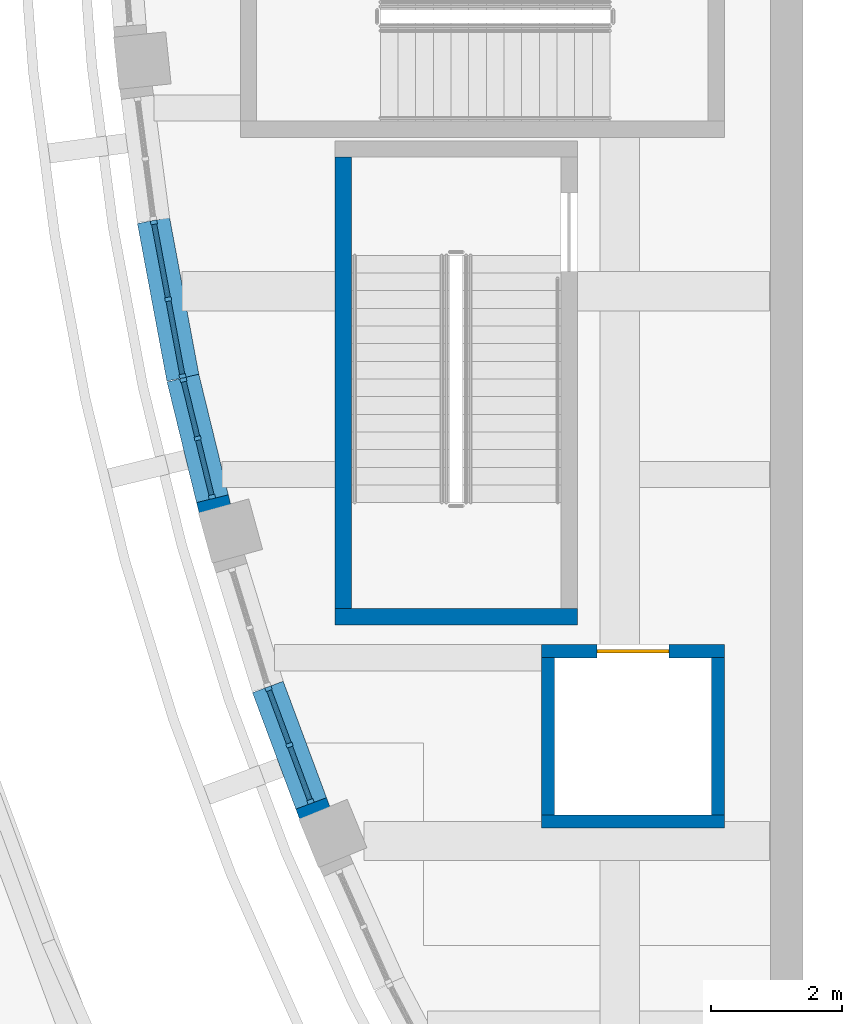
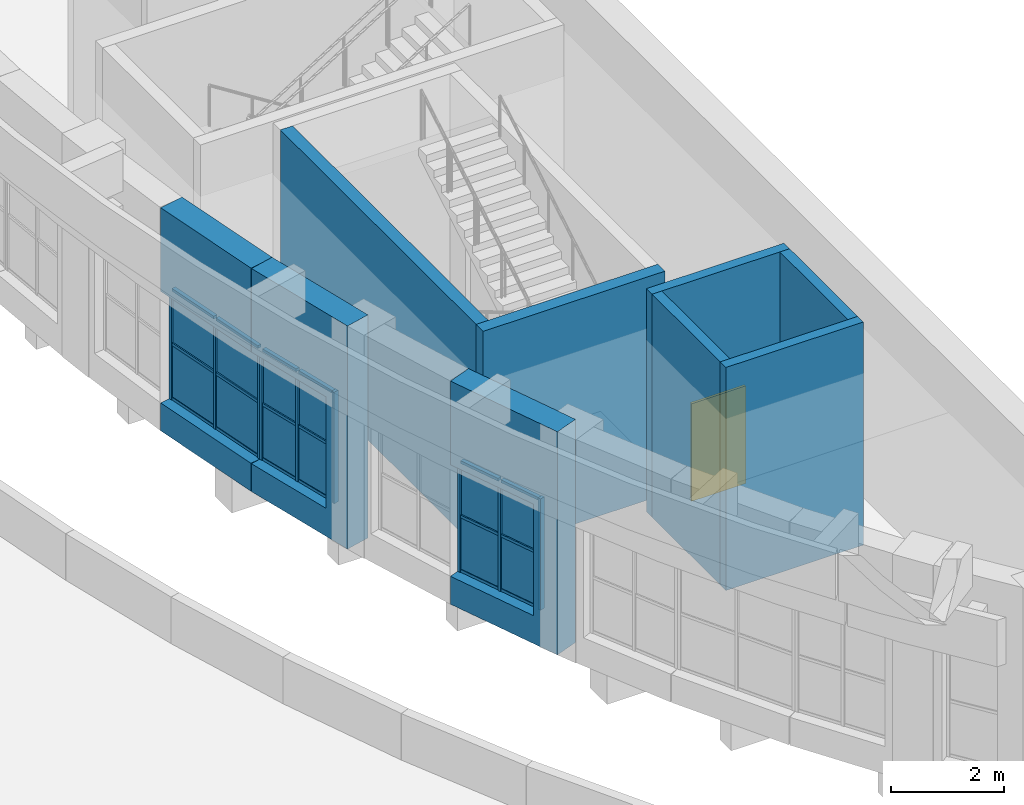
# One storey, part 19 of 79: 27 members, 12 plates, 9 walls, 1 door, 4 openings, 3 elements without a shape of their own.
"""IFC4 building model written with IfcOpenShell, lengths in metres."""

import ifcopenshell
import ifcopenshell.guid

model = None  # the IFC model being written
_history = None  # IfcOwnerHistory: only IFC2X3 demands one
_inside = {}  # id of a spatial element -> (the spatial element, [elements in it])
_under = {}  # id of a project, library or spatial element -> (it, [spatial elements below it])
_declared = {}  # id of a project -> (the project, [libraries it declares])
_typed = {}  # id of a type object -> (the type object, [elements of that type])
_made_of = {}  # id of a material, layer set ... -> (it, [elements and type objects made of it])


def new_model(schema):
    """Start an empty IFC model of exactly this schema.

    Asked for "IFC4X3", IfcOpenShell would pick the latest addendum, in which some entities
    have other attributes; the version numbers below select the first issue.
    IFC2X3 requires an IfcOwnerHistory on every rooted entity: one is made here for all.
    """
    global model, _history
    if schema == "IFC4X3":
        model = ifcopenshell.file(schema_version=(4, 3, 0, 0))
    else:
        model = ifcopenshell.file(schema=schema)
    _inside.clear()
    _under.clear()
    _declared.clear()
    _typed.clear()
    _made_of.clear()
    _history = None
    if model.schema == "IFC2X3":
        org = make("IfcOrganization", Name="unknown")
        user = make(
            "IfcPersonAndOrganization",
            ThePerson=make("IfcPerson", FamilyName="unknown"),
            TheOrganization=org,
        )
        app = make(
            "IfcApplication",
            ApplicationDeveloper=org,
            Version="unknown",
            ApplicationFullName="unknown",
            ApplicationIdentifier="unknown",
        )
        _history = make(
            "IfcOwnerHistory",
            OwningUser=user,
            OwningApplication=app,
            ChangeAction="ADDED",
            CreationDate=0,
        )
    return model


def make(cls, **values):
    """One entity of the class cls with the attributes given. An attribute that is None is left unset."""
    return model.create_entity(
        cls, **{name: value for name, value in values.items() if value is not None}
    )


def rooted(cls, **values):
    """An entity with a GlobalId (a new one), such as an element, a storey or a relation."""
    return make(cls, GlobalId=ifcopenshell.guid.new(), OwnerHistory=_history, **values)


def si_unit(unit_type, name, prefix=None):
    """IfcSIUnit, for example si_unit("LENGTHUNIT", "METRE", prefix="MILLI")."""
    return make("IfcSIUnit", UnitType=unit_type, Prefix=prefix, Name=name)


def assignment(units):
    """IfcUnitAssignment: the units of a project."""
    return None if units is None else make("IfcUnitAssignment", Units=units)


def point(xyz):
    """IfcCartesianPoint."""
    return None if xyz is None else make("IfcCartesianPoint", Coordinates=xyz)


def direction(xyz):
    """IfcDirection."""
    return None if xyz is None else make("IfcDirection", DirectionRatios=xyz)


def frame(location, z_axis=None, x_axis=None):
    """IfcAxis2Placement3D, a coordinate frame: its origin and axes. An axis left out is left unset."""
    return make(
        "IfcAxis2Placement3D",
        Location=point(location),
        Axis=direction(z_axis),
        RefDirection=direction(x_axis),
    )


def frame_2d(location, x_axis=None):
    """IfcAxis2Placement2D, a coordinate frame in the plane: its origin and x axis."""
    return make(
        "IfcAxis2Placement2D", Location=point(location), RefDirection=direction(x_axis)
    )


def origin():
    """The frame at (0, 0, 0) with its axes left unset."""
    return frame((0.0, 0.0, 0.0))


def origin_2d():
    """The frame at (0, 0) in the plane with its x axis left unset."""
    return frame_2d((0.0, 0.0))


def place(relative_to, where):
    """IfcLocalPlacement: puts the frame where relative to a parent placement (None: the world)."""
    return make(
        "IfcLocalPlacement", PlacementRelTo=relative_to, RelativePlacement=where
    )


def context(
    kind, dimensions, precision=None, world=None, true_north=None, identifier=None
):
    """IfcGeometricRepresentationContext, for example the 3D "Model" context."""
    return make(
        "IfcGeometricRepresentationContext",
        ContextIdentifier=identifier,
        ContextType=kind,
        CoordinateSpaceDimension=dimensions,
        Precision=precision,
        WorldCoordinateSystem=world,
        TrueNorth=true_north,
    )


def subcontext(parent, identifier, kind, view, scale=None):
    """IfcGeometricRepresentationSubContext, for example "Body" below "Model"."""
    return make(
        "IfcGeometricRepresentationSubContext",
        ContextIdentifier=identifier,
        ContextType=kind,
        ParentContext=parent,
        TargetScale=scale,
        TargetView=view,
    )


def project(units=None, contexts=None):
    """IfcProject with its units and contexts."""
    return rooted(
        "IfcProject",
        Name="project",
        RepresentationContexts=contexts,
        UnitsInContext=assignment(units),
    )


def spatial(cls, under=None, at=None, **own):
    """A site, building, storey or space (cls), placed at a placement, below another one or the project."""
    s = rooted(cls, ObjectPlacement=at, **own)
    if under is not None:
        _under.setdefault(under.id(), (under, []))[1].append(s)
    return s


def profile(cls, at=None, kind="AREA", **sizes):
    """A parametric profile (cls). Its sizes go by their IFC names, for example OverallWidth=200.0."""
    return make(cls, ProfileType=kind, Position=at, **sizes)


def rectangle(**sizes):
    """IfcRectangleProfileDef."""
    return profile("IfcRectangleProfileDef", **sizes)


def extrude(swept, where, along, depth):
    """IfcExtrudedAreaSolid: the profile swept, set in the frame where, extruded along a direction by depth."""
    return make(
        "IfcExtrudedAreaSolid",
        SweptArea=swept,
        Position=where,
        ExtrudedDirection=direction(along),
        Depth=depth,
    )


def shape(context_of_items, identifier, shape_type, items):
    """IfcShapeRepresentation: the items that make up one representation, for example the "Body"."""
    return make(
        "IfcShapeRepresentation",
        ContextOfItems=context_of_items,
        RepresentationIdentifier=identifier,
        RepresentationType=shape_type,
        Items=items,
    )


def material(Name=None, Category=None):
    """IfcMaterial."""
    return make("IfcMaterial", Name=Name, Category=Category)


def layer(
    of_material, thickness, ventilated=None, Name=None, Category=None, Priority=None
):
    """IfcMaterialLayer: one layer of a wall or slab, of a material (None: an air gap)."""
    return make(
        "IfcMaterialLayer",
        Material=of_material,
        LayerThickness=thickness,
        IsVentilated=ventilated,
        Name=Name,
        Category=Category,
        Priority=Priority,
    )


def layer_set(layers, Name=None):
    """IfcMaterialLayerSet."""
    return make("IfcMaterialLayerSet", MaterialLayers=layers, LayerSetName=Name)


def material_profile(
    of_material, cross_section, Name=None, Category=None, Priority=None
):
    """IfcMaterialProfile: a cross section and its material."""
    return make(
        "IfcMaterialProfile",
        Name=Name,
        Material=of_material,
        Profile=cross_section,
        Priority=Priority,
        Category=Category,
    )


def profile_set(profiles, Name=None, composite=None):
    """IfcMaterialProfileSet."""
    return make(
        "IfcMaterialProfileSet",
        Name=Name,
        MaterialProfiles=profiles,
        CompositeProfile=composite,
    )


def made_of(thing, what):
    """Note that an element or type object is made of a material, layer set ...; save() writes the relation."""
    if what is not None:
        _made_of.setdefault(what.id(), (what, []))[1].append(thing)
    return thing


def type_object(cls, material=None, **own):
    """A type object (cls), such as IfcWallType, which elements share."""
    return made_of(rooted(cls, **own), material)


def element(
    cls,
    number,
    at=None,
    inside=None,
    cuts=None,
    type_object=None,
    material=None,
    context=None,
    identifier="Body",
    shape_type=None,
    held_by="IfcProductDefinitionShape",
    body=None,
    shapes=None,
    **own,
):
    """One element of the class cls, such as IfcWall. Its Tag is "e" and its number.

    at: its placement. inside: the storey or other place that contains it. cuts: it is an
    opening in that element (IfcRelVoidsElement). A single representation is given by context,
    identifier, shape_type and body (its items); several are given by shapes. held_by: the class
    of the entity that holds the representations. save() writes the other relations.
    """
    e = rooted(cls, Tag="e%d" % number, ObjectPlacement=at, **own)
    if body is not None:
        shapes = [shape(context, identifier, shape_type, body)]
    if shapes is not None:
        e.Representation = make(held_by, Representations=shapes)
    if inside is not None:
        _inside.setdefault(inside.id(), (inside, []))[1].append(e)
    if cuts is not None:
        rooted(
            "IfcRelVoidsElement", RelatingBuildingElement=cuts, RelatedOpeningElement=e
        )
    if type_object is not None:
        _typed.setdefault(type_object.id(), (type_object, []))[1].append(e)
    return made_of(e, material)


def fill(opening, filler):
    """IfcRelFillsElement: the door or window that sits in an opening."""
    return rooted(
        "IfcRelFillsElement",
        RelatingOpeningElement=opening,
        RelatedBuildingElement=filler,
    )


def aggregate(whole, parts):
    """IfcRelAggregates: a whole, such as a stair, and the parts it consists of."""
    return rooted("IfcRelAggregates", RelatingObject=whole, RelatedObjects=parts)


def save(model, path):
    """Write the relations noted so far, then the file.

    IfcRelAggregates (storeys below a building ...), IfcRelContainedInSpatialStructure (elements
    in a storey), IfcRelDefinesByType, IfcRelAssociatesMaterial and IfcRelDeclares: one each for
    every whole, place, type object, material and project.
    """
    for whole, parts in _under.values():
        aggregate(whole, parts)
    for where, things in _inside.values():
        rooted(
            "IfcRelContainedInSpatialStructure",
            RelatedElements=things,
            RelatingStructure=where,
        )
    for kind, things in _typed.values():
        rooted("IfcRelDefinesByType", RelatedObjects=things, RelatingType=kind)
    for what, things in _made_of.values():
        rooted("IfcRelAssociatesMaterial", RelatedObjects=things, RelatingMaterial=what)
    for by, libraries in _declared.values():
        rooted("IfcRelDeclares", RelatingContext=by, RelatedDefinitions=libraries)
    model.write(path)


model = new_model("IFC4")

# Units and contexts
model_context = context("Model", 3, precision=1e-05, world=origin(), true_north=direction((0.0, 1.0)))
body_context = subcontext(model_context, "Body", "Model", "MODEL_VIEW")
ifc_project = project(units=[si_unit("LENGTHUNIT", "METRE"), si_unit("AREAUNIT", "SQUARE_METRE"), si_unit("VOLUMEUNIT", "CUBIC_METRE"), si_unit("PLANEANGLEUNIT", "RADIAN"), si_unit("MASSUNIT", "GRAM", prefix="KILO")], contexts=[model_context])

# Site, building, storey
site_placement = place(None, origin())
site = spatial("IfcSite", under=ifc_project, at=site_placement, CompositionType="ELEMENT")
building_placement = place(site_placement, origin())
building = spatial("IfcBuilding", under=site, at=building_placement, Name="Larchfold Concert Hall", CompositionType="ELEMENT")
storey_placement = place(building_placement, frame((0.0, 0.0, 14.39990234375)))
storey = spatial("IfcBuildingStorey", under=building, at=storey_placement, Name="L03", CompositionType="ELEMENT", Elevation=14.39990234375)

# Curtain wall, members
ifc_material_1 = material(Name="Anodised graphite aluminium curtain wall", Category="aluminium")
ifc_layer_1 = layer(ifc_material_1, 0.10009765625)
ifc_layer_set_1 = layer_set([ifc_layer_1], Name="Anodised graphite aluminium curtain wall")
curtain_wall_type = type_object("IfcCurtainWallType", Name="Curtain wall GB", PredefinedType="NOTDEFINED", material=ifc_layer_set_1)
curtain_wall_1_placement = place(storey_placement, origin())
curtain_wall_1 = element("IfcCurtainWall", 1, at=curtain_wall_1_placement, inside=storey, type_object=curtain_wall_type, Name="Curtain wall CW0042", PredefinedType="NOTDEFINED")
ifc_material_2 = material(Name="Anodised graphite aluminium mullion", Category="aluminium")
ifc_material_profile_1 = material_profile(ifc_material_2, rectangle(XDim=0.10009765625, YDim=0.06005859375, at=origin_2d()))
ifc_profile_set_1 = profile_set([ifc_material_profile_1], Name="Anodised graphite aluminium mullion")
member_type_1 = type_object("IfcMemberType", Name="Aluminium mullion 60x100", PredefinedType="MULLION", material=ifc_profile_set_1)
member_1_placement = place(storey_placement, frame((18.679931640625, 77.252685546875, 0.60009765625), z_axis=(0.0, 0.0, 1.0), x_axis=(0.983015213487, 0.183524085758, 0.0)))
member_1 = element("IfcMember", 2, at=member_1_placement, type_object=member_type_1, Name="CW0042 mullion 1", PredefinedType="MULLION", context=body_context, shape_type="SweptSolid", body=[
    extrude(rectangle(XDim=0.10009765625, YDim=0.06005859375, at=origin_2d()), origin(), (0.0, 0.0, 1.0), 2.39990234375),
])
member_2_placement = place(storey_placement, frame((18.899169921875, 76.07861328125, 0.60009765625), z_axis=(0.0, 0.0, 1.0), x_axis=(0.983015213487, 0.183524085758, 0.0)))
member_2 = element("IfcMember", 3, at=member_2_placement, type_object=member_type_1, Name="CW0042 mullion 2", PredefinedType="MULLION", context=body_context, shape_type="SweptSolid", body=[
    extrude(rectangle(XDim=0.10009765625, YDim=0.06005859375, at=origin_2d()), origin(), (0.0, 0.0, 1.0), 2.39990234375),
])
member_3_placement = place(storey_placement, frame((19.1181640625, 74.904296875, 0.60009765625), z_axis=(0.0, 0.0, 1.0), x_axis=(0.983015213487, 0.183524085758, 0.0)))
member_3 = element("IfcMember", 4, at=member_3_placement, type_object=member_type_1, Name="CW0042 mullion 3", PredefinedType="MULLION", context=body_context, shape_type="SweptSolid", body=[
    extrude(rectangle(XDim=0.10009765625, YDim=0.06005859375, at=origin_2d()), origin(), (0.0, 0.0, 1.0), 2.39990234375),
])

curtain_wall_2_placement = place(storey_placement, origin())
curtain_wall_2 = element("IfcCurtainWall", 5, at=curtain_wall_2_placement, inside=storey, type_object=curtain_wall_type, Name="Curtain wall CW0043", PredefinedType="NOTDEFINED")
member_4_placement = place(storey_placement, frame((19.130859375, 74.845703125, 0.60009765625), z_axis=(0.0, 0.0, 1.0), x_axis=(0.97138516295, 0.237509716014, 0.0)))
member_4 = element("IfcMember", 6, at=member_4_placement, type_object=member_type_1, Name="CW0043 mullion 1", PredefinedType="MULLION", context=body_context, shape_type="SweptSolid", body=[
    extrude(rectangle(XDim=0.10009765625, YDim=0.06005859375, at=origin_2d()), origin(), (0.0, 0.0, 1.0), 2.39990234375),
])
member_5_placement = place(storey_placement, frame((19.34912109375, 73.95263671875, 0.60009765625), z_axis=(0.0, 0.0, 1.0), x_axis=(0.97138516295, 0.237509716014, 0.0)))
member_5 = element("IfcMember", 7, at=member_5_placement, type_object=member_type_1, Name="CW0043 mullion 2", PredefinedType="MULLION", context=body_context, shape_type="SweptSolid", body=[
    extrude(rectangle(XDim=0.10009765625, YDim=0.06005859375, at=origin_2d()), origin(), (0.0, 0.0, 1.0), 2.39990234375),
])
member_6_placement = place(storey_placement, frame((19.567626953125, 73.0595703125, 0.60009765625), z_axis=(0.0, 0.0, 1.0), x_axis=(0.97138516295, 0.237509716014, 0.0)))
member_6 = element("IfcMember", 8, at=member_6_placement, type_object=member_type_1, Name="CW0043 mullion 3", PredefinedType="MULLION", context=body_context, shape_type="SweptSolid", body=[
    extrude(rectangle(XDim=0.10009765625, YDim=0.06005859375, at=origin_2d()), origin(), (0.0, 0.0, 1.0), 2.39990234375),
])

curtain_wall_3_placement = place(storey_placement, origin())
curtain_wall_3 = element("IfcCurtainWall", 9, at=curtain_wall_3_placement, inside=storey, type_object=curtain_wall_type, Name="Curtain wall CW0045", PredefinedType="NOTDEFINED")
member_7_placement = place(storey_placement, frame((20.43212890625, 70.1259765625, 0.60009765625), z_axis=(0.0, 0.0, 1.0), x_axis=(0.937187641054, 0.348825637613, 0.0)))
member_7 = element("IfcMember", 10, at=member_7_placement, type_object=member_type_1, Name="CW0045 mullion 1", PredefinedType="MULLION", context=body_context, shape_type="SweptSolid", body=[
    extrude(rectangle(XDim=0.10009765625, YDim=0.06005859375, at=origin_2d()), origin(), (0.0, 0.0, 1.0), 2.39990234375),
])
member_8_placement = place(storey_placement, frame((20.752685546875, 69.264404296875, 0.60009765625), z_axis=(0.0, 0.0, 1.0), x_axis=(0.937187641054, 0.348825637613, 0.0)))
member_8 = element("IfcMember", 11, at=member_8_placement, type_object=member_type_1, Name="CW0045 mullion 2", PredefinedType="MULLION", context=body_context, shape_type="SweptSolid", body=[
    extrude(rectangle(XDim=0.10009765625, YDim=0.06005859375, at=origin_2d()), origin(), (0.0, 0.0, 1.0), 2.39990234375),
])
member_9_placement = place(storey_placement, frame((21.073486328125, 68.402587890625, 0.60009765625), z_axis=(0.0, 0.0, 1.0), x_axis=(0.937187641054, 0.348825637613, 0.0)))
member_9 = element("IfcMember", 12, at=member_9_placement, type_object=member_type_1, Name="CW0045 mullion 3", PredefinedType="MULLION", context=body_context, shape_type="SweptSolid", body=[
    extrude(rectangle(XDim=0.10009765625, YDim=0.06005859375, at=origin_2d()), origin(), (0.0, 0.0, 1.0), 2.39990234375),
])

# Member
ifc_material_3 = material(Name="Anodised graphite aluminium transom", Category="aluminium")
ifc_material_profile_2 = material_profile(ifc_material_3, rectangle(XDim=0.080078125, YDim=0.06005859375, at=origin_2d()))
ifc_profile_set_2 = profile_set([ifc_material_profile_2], Name="Anodised graphite aluminium transom")
member_type_2 = type_object("IfcMemberType", Name="Aluminium transom 60x80", PredefinedType="USERDEFINED", material=ifc_profile_set_2)
member_10_placement = place(storey_placement, frame((18.685302734375, 77.22314453125, 0.630126953125), z_axis=(0.183560883626, -0.983008342794, 0.0), x_axis=(0.983008342794, 0.183560883626, 0.0)))
member_10 = element("IfcMember", 13, at=member_10_placement, type_object=member_type_2, Name="CW0042 transom 1.1", ObjectType="TRANSOM", PredefinedType="USERDEFINED", context=body_context, shape_type="SweptSolid", body=[
    extrude(rectangle(XDim=0.080078125, YDim=0.06005859375, at=origin_2d()), origin(), (0.0, 0.0, 1.0), 1.134521484375),
])

member_11_placement = place(storey_placement, frame((18.685302734375, 77.22314453125, 1.800048828125), z_axis=(0.183560883626, -0.983008342794, 0.0), x_axis=(0.983008342794, 0.183560883626, 0.0)))
member_11 = element("IfcMember", 14, at=member_11_placement, type_object=member_type_2, Name="CW0042 transom 1.2", ObjectType="TRANSOM", PredefinedType="USERDEFINED", context=body_context, shape_type="SweptSolid", body=[
    extrude(rectangle(XDim=0.080078125, YDim=0.06005859375, at=origin_2d()), origin(), (0.0, 0.0, 1.0), 1.134521484375),
])

member_12_placement = place(storey_placement, frame((18.685302734375, 77.22314453125, 2.969970703125), z_axis=(0.183560883626, -0.983008342794, 0.0), x_axis=(0.983008342794, 0.183560883626, 0.0)))
member_12 = element("IfcMember", 15, at=member_12_placement, type_object=member_type_2, Name="CW0042 transom 1.3", ObjectType="TRANSOM", PredefinedType="USERDEFINED", context=body_context, shape_type="SweptSolid", body=[
    extrude(rectangle(XDim=0.080078125, YDim=0.06005859375, at=origin_2d()), origin(), (0.0, 0.0, 1.0), 1.134521484375),
])

member_13_placement = place(storey_placement, frame((18.904541015625, 76.049072265625, 0.630126953125), z_axis=(0.183560883626, -0.983008342794, 0.0), x_axis=(0.983008342794, 0.183560883626, 0.0)))
member_13 = element("IfcMember", 16, at=member_13_placement, type_object=member_type_2, Name="CW0042 transom 2.1", ObjectType="TRANSOM", PredefinedType="USERDEFINED", context=body_context, shape_type="SweptSolid", body=[
    extrude(rectangle(XDim=0.080078125, YDim=0.06005859375, at=origin_2d()), origin(), (0.0, 0.0, 1.0), 1.134521484375),
])

member_14_placement = place(storey_placement, frame((18.904541015625, 76.049072265625, 1.800048828125), z_axis=(0.183560883626, -0.983008342794, 0.0), x_axis=(0.983008342794, 0.183560883626, 0.0)))
member_14 = element("IfcMember", 17, at=member_14_placement, type_object=member_type_2, Name="CW0042 transom 2.2", ObjectType="TRANSOM", PredefinedType="USERDEFINED", context=body_context, shape_type="SweptSolid", body=[
    extrude(rectangle(XDim=0.080078125, YDim=0.06005859375, at=origin_2d()), origin(), (0.0, 0.0, 1.0), 1.134521484375),
])

member_15_placement = place(storey_placement, frame((18.904541015625, 76.049072265625, 2.969970703125), z_axis=(0.183560883626, -0.983008342794, 0.0), x_axis=(0.983008342794, 0.183560883626, 0.0)))
member_15 = element("IfcMember", 18, at=member_15_placement, type_object=member_type_2, Name="CW0042 transom 2.3", ObjectType="TRANSOM", PredefinedType="USERDEFINED", context=body_context, shape_type="SweptSolid", body=[
    extrude(rectangle(XDim=0.080078125, YDim=0.06005859375, at=origin_2d()), origin(), (0.0, 0.0, 1.0), 1.134521484375),
])

member_16_placement = place(storey_placement, frame((19.137939453125, 74.81640625, 0.630126953125), z_axis=(0.237518623966, -0.971382984857, 0.0), x_axis=(0.971382984857, 0.237518623966, 0.0)))
member_16 = element("IfcMember", 19, at=member_16_placement, type_object=member_type_2, Name="CW0043 transom 1.1", ObjectType="TRANSOM", PredefinedType="USERDEFINED", context=body_context, shape_type="SweptSolid", body=[
    extrude(rectangle(XDim=0.080078125, YDim=0.06005859375, at=origin_2d()), origin(), (0.0, 0.0, 1.0), 0.859375),
])

member_17_placement = place(storey_placement, frame((19.137939453125, 74.81640625, 1.800048828125), z_axis=(0.237518623966, -0.971382984857, 0.0), x_axis=(0.971382984857, 0.237518623966, 0.0)))
member_17 = element("IfcMember", 20, at=member_17_placement, type_object=member_type_2, Name="CW0043 transom 1.2", ObjectType="TRANSOM", PredefinedType="USERDEFINED", context=body_context, shape_type="SweptSolid", body=[
    extrude(rectangle(XDim=0.080078125, YDim=0.06005859375, at=origin_2d()), origin(), (0.0, 0.0, 1.0), 0.859375),
])

member_18_placement = place(storey_placement, frame((19.137939453125, 74.81640625, 2.969970703125), z_axis=(0.237518623966, -0.971382984857, 0.0), x_axis=(0.971382984857, 0.237518623966, 0.0)))
member_18 = element("IfcMember", 21, at=member_18_placement, type_object=member_type_2, Name="CW0043 transom 1.3", ObjectType="TRANSOM", PredefinedType="USERDEFINED", context=body_context, shape_type="SweptSolid", body=[
    extrude(rectangle(XDim=0.080078125, YDim=0.06005859375, at=origin_2d()), origin(), (0.0, 0.0, 1.0), 0.859375),
])

member_19_placement = place(storey_placement, frame((19.3564453125, 73.923583984375, 0.630126953125), z_axis=(0.237518623966, -0.971382984857, 0.0), x_axis=(0.971382984857, 0.237518623966, 0.0)))
member_19 = element("IfcMember", 22, at=member_19_placement, type_object=member_type_2, Name="CW0043 transom 2.1", ObjectType="TRANSOM", PredefinedType="USERDEFINED", context=body_context, shape_type="SweptSolid", body=[
    extrude(rectangle(XDim=0.080078125, YDim=0.06005859375, at=origin_2d()), origin(), (0.0, 0.0, 1.0), 0.859375),
])

member_20_placement = place(storey_placement, frame((19.3564453125, 73.923583984375, 1.800048828125), z_axis=(0.237518623966, -0.971382984857, 0.0), x_axis=(0.971382984857, 0.237518623966, 0.0)))
member_20 = element("IfcMember", 23, at=member_20_placement, type_object=member_type_2, Name="CW0043 transom 2.2", ObjectType="TRANSOM", PredefinedType="USERDEFINED", context=body_context, shape_type="SweptSolid", body=[
    extrude(rectangle(XDim=0.080078125, YDim=0.06005859375, at=origin_2d()), origin(), (0.0, 0.0, 1.0), 0.859375),
])

member_21_placement = place(storey_placement, frame((19.3564453125, 73.923583984375, 2.969970703125), z_axis=(0.237518623966, -0.971382984857, 0.0), x_axis=(0.971382984857, 0.237518623966, 0.0)))
member_21 = element("IfcMember", 24, at=member_21_placement, type_object=member_type_2, Name="CW0043 transom 2.3", ObjectType="TRANSOM", PredefinedType="USERDEFINED", context=body_context, shape_type="SweptSolid", body=[
    extrude(rectangle(XDim=0.080078125, YDim=0.06005859375, at=origin_2d()), origin(), (0.0, 0.0, 1.0), 0.859375),
])

member_22_placement = place(storey_placement, frame((20.442626953125, 70.097900390625, 0.630126953125), z_axis=(0.348849770379, -0.937178658371, 0.0), x_axis=(0.937178658371, 0.348849770379, 0.0)))
member_22 = element("IfcMember", 25, at=member_22_placement, type_object=member_type_2, Name="CW0045 transom 1.1", ObjectType="TRANSOM", PredefinedType="USERDEFINED", context=body_context, shape_type="SweptSolid", body=[
    extrude(rectangle(XDim=0.080078125, YDim=0.06005859375, at=origin_2d()), origin(), (0.0, 0.0, 1.0), 0.859375),
])

member_23_placement = place(storey_placement, frame((20.442626953125, 70.097900390625, 1.800048828125), z_axis=(0.348849770379, -0.937178658371, 0.0), x_axis=(0.937178658371, 0.348849770379, 0.0)))
member_23 = element("IfcMember", 26, at=member_23_placement, type_object=member_type_2, Name="CW0045 transom 1.2", ObjectType="TRANSOM", PredefinedType="USERDEFINED", context=body_context, shape_type="SweptSolid", body=[
    extrude(rectangle(XDim=0.080078125, YDim=0.06005859375, at=origin_2d()), origin(), (0.0, 0.0, 1.0), 0.859375),
])

member_24_placement = place(storey_placement, frame((20.442626953125, 70.097900390625, 2.969970703125), z_axis=(0.348849770379, -0.937178658371, 0.0), x_axis=(0.937178658371, 0.348849770379, 0.0)))
member_24 = element("IfcMember", 27, at=member_24_placement, type_object=member_type_2, Name="CW0045 transom 1.3", ObjectType="TRANSOM", PredefinedType="USERDEFINED", context=body_context, shape_type="SweptSolid", body=[
    extrude(rectangle(XDim=0.080078125, YDim=0.06005859375, at=origin_2d()), origin(), (0.0, 0.0, 1.0), 0.859375),
])

member_25_placement = place(storey_placement, frame((20.76318359375, 69.236083984375, 0.630126953125), z_axis=(0.348849770379, -0.937178658371, 0.0), x_axis=(0.937178658371, 0.348849770379, 0.0)))
member_25 = element("IfcMember", 28, at=member_25_placement, type_object=member_type_2, Name="CW0045 transom 2.1", ObjectType="TRANSOM", PredefinedType="USERDEFINED", context=body_context, shape_type="SweptSolid", body=[
    extrude(rectangle(XDim=0.080078125, YDim=0.06005859375, at=origin_2d()), origin(), (0.0, 0.0, 1.0), 0.859375),
])

member_26_placement = place(storey_placement, frame((20.76318359375, 69.236083984375, 1.800048828125), z_axis=(0.348849770379, -0.937178658371, 0.0), x_axis=(0.937178658371, 0.348849770379, 0.0)))
member_26 = element("IfcMember", 29, at=member_26_placement, type_object=member_type_2, Name="CW0045 transom 2.2", ObjectType="TRANSOM", PredefinedType="USERDEFINED", context=body_context, shape_type="SweptSolid", body=[
    extrude(rectangle(XDim=0.080078125, YDim=0.06005859375, at=origin_2d()), origin(), (0.0, 0.0, 1.0), 0.859375),
])

member_27_placement = place(storey_placement, frame((20.76318359375, 69.236083984375, 2.969970703125), z_axis=(0.348849770379, -0.937178658371, 0.0), x_axis=(0.937178658371, 0.348849770379, 0.0)))
member_27 = element("IfcMember", 30, at=member_27_placement, type_object=member_type_2, Name="CW0045 transom 2.3", ObjectType="TRANSOM", PredefinedType="USERDEFINED", context=body_context, shape_type="SweptSolid", body=[
    extrude(rectangle(XDim=0.080078125, YDim=0.06005859375, at=origin_2d()), origin(), (0.0, 0.0, 1.0), 0.859375),
])

# Plate
ifc_material_4 = material(Name="Insulated glazing unit, glass", Category="glass")
ifc_layer_2 = layer(ifc_material_4, 0.02392578125)
ifc_layer_set_2 = layer_set([ifc_layer_2], Name="Insulated glazing unit, glass")
plate_type_1 = type_object("IfcPlateType", Name="Glass panel 24", PredefinedType="CURTAIN_PANEL", material=ifc_layer_set_2)
plate_1_placement = place(storey_placement, frame((18.78955078125, 76.66552734375, 1.830078125), z_axis=(0.0, 0.0, 1.0), x_axis=(0.183524085758, -0.983015213487, 0.0)))
plate_1 = element("IfcPlate", 31, at=plate_1_placement, type_object=plate_type_1, Name="CW0042 panel 1.2", PredefinedType="CURTAIN_PANEL", context=body_context, shape_type="SweptSolid", body=[
    extrude(rectangle(XDim=1.134521484375, YDim=0.02392578125, at=origin_2d()), origin(), (0.0, 0.0, 1.0), 1.10986328125),
])

plate_2_placement = place(storey_placement, frame((19.008544921875, 75.491455078125, 1.830078125), z_axis=(0.0, 0.0, 1.0), x_axis=(0.183524085758, -0.983015213487, 0.0)))
plate_2 = element("IfcPlate", 32, at=plate_2_placement, type_object=plate_type_1, Name="CW0042 panel 2.2", PredefinedType="CURTAIN_PANEL", context=body_context, shape_type="SweptSolid", body=[
    extrude(rectangle(XDim=1.134521484375, YDim=0.02392578125, at=origin_2d()), origin(), (0.0, 0.0, 1.0), 1.10986328125),
])

plate_3_placement = place(storey_placement, frame((19.239990234375, 74.399169921875, 1.830078125), z_axis=(0.0, 0.0, 1.0), x_axis=(0.237509716014, -0.97138516295, 0.0)))
plate_3 = element("IfcPlate", 33, at=plate_3_placement, type_object=plate_type_1, Name="CW0043 panel 1.2", PredefinedType="CURTAIN_PANEL", context=body_context, shape_type="SweptSolid", body=[
    extrude(rectangle(XDim=0.859375, YDim=0.02392578125, at=origin_2d()), origin(), (0.0, 0.0, 1.0), 1.10986328125),
])

plate_4_placement = place(storey_placement, frame((19.45849609375, 73.506103515625, 1.830078125), z_axis=(0.0, 0.0, 1.0), x_axis=(0.237509716014, -0.97138516295, 0.0)))
plate_4 = element("IfcPlate", 34, at=plate_4_placement, type_object=plate_type_1, Name="CW0043 panel 2.2", PredefinedType="CURTAIN_PANEL", context=body_context, shape_type="SweptSolid", body=[
    extrude(rectangle(XDim=0.859375, YDim=0.02392578125, at=origin_2d()), origin(), (0.0, 0.0, 1.0), 1.10986328125),
])

plate_5_placement = place(storey_placement, frame((20.592529296875, 69.695068359375, 1.830078125), z_axis=(0.0, 0.0, 1.0), x_axis=(0.348825637613, -0.937187641054, 0.0)))
plate_5 = element("IfcPlate", 35, at=plate_5_placement, type_object=plate_type_1, Name="CW0045 panel 1.2", PredefinedType="CURTAIN_PANEL", context=body_context, shape_type="SweptSolid", body=[
    extrude(rectangle(XDim=0.859375, YDim=0.02392578125, at=origin_2d()), origin(), (0.0, 0.0, 1.0), 1.10986328125),
])

plate_6_placement = place(storey_placement, frame((20.9130859375, 68.83349609375, 1.830078125), z_axis=(0.0, 0.0, 1.0), x_axis=(0.348825637613, -0.937187641054, 0.0)))
plate_6 = element("IfcPlate", 36, at=plate_6_placement, type_object=plate_type_1, Name="CW0045 panel 2.2", PredefinedType="CURTAIN_PANEL", context=body_context, shape_type="SweptSolid", body=[
    extrude(rectangle(XDim=0.859375, YDim=0.02392578125, at=origin_2d()), origin(), (0.0, 0.0, 1.0), 1.10986328125),
])

ifc_material_5 = material(Name="White insulated panel")
ifc_layer_3 = layer(ifc_material_5, 0.050048828125)
ifc_layer_set_3 = layer_set([ifc_layer_3], Name="White insulated panel")
plate_type_2 = type_object("IfcPlateType", Name="Insulated spandrel panel 50", PredefinedType="CURTAIN_PANEL", material=ifc_layer_set_3)
plate_7_placement = place(storey_placement, frame((18.78955078125, 76.66552734375, 0.66015625), z_axis=(0.0, 0.0, 1.0), x_axis=(0.183524085758, -0.983015213487, 0.0)))
plate_7 = element("IfcPlate", 37, at=plate_7_placement, type_object=plate_type_2, Name="CW0042 panel 1.1", PredefinedType="CURTAIN_PANEL", context=body_context, shape_type="SweptSolid", body=[
    extrude(rectangle(XDim=1.134521484375, YDim=0.050048828125, at=origin_2d()), origin(), (0.0, 0.0, 1.0), 1.10986328125),
])

plate_8_placement = place(storey_placement, frame((19.008544921875, 75.491455078125, 0.66015625), z_axis=(0.0, 0.0, 1.0), x_axis=(0.183524085758, -0.983015213487, 0.0)))
plate_8 = element("IfcPlate", 38, at=plate_8_placement, type_object=plate_type_2, Name="CW0042 panel 2.1", PredefinedType="CURTAIN_PANEL", context=body_context, shape_type="SweptSolid", body=[
    extrude(rectangle(XDim=1.134521484375, YDim=0.050048828125, at=origin_2d()), origin(), (0.0, 0.0, 1.0), 1.10986328125),
])

aggregate(curtain_wall_1, [member_1, member_2, member_3, member_10, member_11, member_12, plate_7, plate_1, member_13, member_14, member_15, plate_8, plate_2])

plate_9_placement = place(storey_placement, frame((19.239990234375, 74.399169921875, 0.66015625), z_axis=(0.0, 0.0, 1.0), x_axis=(0.237509716014, -0.97138516295, 0.0)))
plate_9 = element("IfcPlate", 39, at=plate_9_placement, type_object=plate_type_2, Name="CW0043 panel 1.1", PredefinedType="CURTAIN_PANEL", context=body_context, shape_type="SweptSolid", body=[
    extrude(rectangle(XDim=0.859375, YDim=0.050048828125, at=origin_2d()), origin(), (0.0, 0.0, 1.0), 1.10986328125),
])

plate_10_placement = place(storey_placement, frame((19.45849609375, 73.506103515625, 0.66015625), z_axis=(0.0, 0.0, 1.0), x_axis=(0.237509716014, -0.97138516295, 0.0)))
plate_10 = element("IfcPlate", 40, at=plate_10_placement, type_object=plate_type_2, Name="CW0043 panel 2.1", PredefinedType="CURTAIN_PANEL", context=body_context, shape_type="SweptSolid", body=[
    extrude(rectangle(XDim=0.859375, YDim=0.050048828125, at=origin_2d()), origin(), (0.0, 0.0, 1.0), 1.10986328125),
])

aggregate(curtain_wall_2, [member_4, member_5, member_6, member_16, member_17, member_18, plate_9, plate_3, member_19, member_20, member_21, plate_10, plate_4])

plate_11_placement = place(storey_placement, frame((20.592529296875, 69.695068359375, 0.66015625), z_axis=(0.0, 0.0, 1.0), x_axis=(0.348825637613, -0.937187641054, 0.0)))
plate_11 = element("IfcPlate", 41, at=plate_11_placement, type_object=plate_type_2, Name="CW0045 panel 1.1", PredefinedType="CURTAIN_PANEL", context=body_context, shape_type="SweptSolid", body=[
    extrude(rectangle(XDim=0.859375, YDim=0.050048828125, at=origin_2d()), origin(), (0.0, 0.0, 1.0), 1.10986328125),
])

plate_12_placement = place(storey_placement, frame((20.9130859375, 68.83349609375, 0.66015625), z_axis=(0.0, 0.0, 1.0), x_axis=(0.348825637613, -0.937187641054, 0.0)))
plate_12 = element("IfcPlate", 42, at=plate_12_placement, type_object=plate_type_2, Name="CW0045 panel 2.1", PredefinedType="CURTAIN_PANEL", context=body_context, shape_type="SweptSolid", body=[
    extrude(rectangle(XDim=0.859375, YDim=0.050048828125, at=origin_2d()), origin(), (0.0, 0.0, 1.0), 1.10986328125),
])

aggregate(curtain_wall_3, [member_7, member_8, member_9, member_22, member_23, member_24, plate_11, plate_5, member_25, member_26, member_27, plate_12, plate_6])

# Wall
ifc_material_6 = material(Name="Concrete C40/50", Category="concrete")
ifc_layer_4 = layer(ifc_material_6, 0.199951171875)
ifc_layer_set_4 = layer_set([ifc_layer_4], Name="Concrete C40/50")
wall_type_1 = type_object("IfcWallType", Name="Wall RC 200 lift shaft", PredefinedType="SOLIDWALL", material=ifc_layer_set_4)
wall_1_placement = place(storey_placement, frame((24.60009765625, 68.10009765625, 0.0), z_axis=(0.0, 0.0, 1.0), x_axis=(1.0, 0.0, 0.0)))
element("IfcWall", 43, at=wall_1_placement, inside=storey, type_object=wall_type_1, Name="Wall W0114", PredefinedType="SOLIDWALL", context=body_context, shape_type="SweptSolid", body=[
    extrude(rectangle(XDim=2.7998046875, YDim=0.199951171875, at=frame_2d((1.39990234375, 0.0))), origin(), (0.0, 0.0, 1.0), 4.800048828125),
])

# Wall, opening, door
wall_2_placement = place(storey_placement, frame((24.60009765625, 70.699951171875, 0.0), z_axis=(0.0, 0.0, 1.0), x_axis=(1.0, 0.0, 0.0)))
wall_2 = element("IfcWall", 44, at=wall_2_placement, inside=storey, type_object=wall_type_1, Name="Wall W0115", PredefinedType="SOLIDWALL", context=body_context, shape_type="SweptSolid", body=[
    extrude(rectangle(XDim=2.7998046875, YDim=0.199951171875, at=frame_2d((1.39990234375, 0.0))), origin(), (0.0, 0.0, 1.0), 4.800048828125),
])
opening_1_placement = place(wall_2_placement, frame((0.849853515625, 0.0, 0.0)))
opening_1 = element("IfcOpeningElement", 45, at=opening_1_placement, cuts=wall_2, Name="Opening LD-LF02", PredefinedType="OPENING", context=body_context, shape_type="SweptSolid", body=[
    extrude(rectangle(XDim=1.10009765625, YDim=2.10009765625, at=frame_2d((0.550048828125, 1.050048828125))), frame((0.0, 0.10986328125, 0.0), z_axis=(0.0, -1.0, 0.0), x_axis=(1.0, 0.0, 0.0)), (0.0, 0.0, 1.0), 0.219970703125),
])
ifc_material_7 = material(Name="Stainless steel sliding leaves", Category="steel")
door_type = type_object("IfcDoorType", Name="Lift landing door sliding 1100 x 2100", OperationType="SLIDING_TO_LEFT", PredefinedType="DOOR", material=ifc_material_7)
door_placement = place(opening_1_placement, origin())
door = element("IfcDoor", 46, at=door_placement, inside=storey, type_object=door_type, Name="Lift landing door LF02", OperationType="SLIDING_TO_LEFT", OverallHeight=2.10009765625, OverallWidth=1.10009765625, PredefinedType="DOOR", context=body_context, shape_type="SweptSolid", body=[
    extrude(rectangle(XDim=1.10009765625, YDim=2.10009765625, at=frame_2d((0.550048828125, 1.050048828125))), frame((0.0, 0.02490234375, 0.0), z_axis=(0.0, -1.0, 0.0), x_axis=(1.0, 0.0, 0.0)), (0.0, 0.0, 1.0), 0.050048828125),
])
fill(opening_1, door)

# Walls
for number, where, z_axis, x_axis, name in (
    (47, (24.7001953125, 68.199951171875, 0.0), (0.0, 0.0, 1.0), (0.0, 1.0, 0.0), "Wall W0116"),
    (48, (27.2998046875, 68.199951171875, 0.0), (0.0, 0.0, 1.0), (0.0, 1.0, 0.0), "Wall W0117"),
):
    element("IfcWall", number, at=place(storey_placement, frame(where, z_axis=z_axis, x_axis=x_axis)), inside=storey, type_object=wall_type_1, Name=name, PredefinedType="SOLIDWALL", context=body_context, shape_type="SweptSolid", body=[
        extrude(rectangle(XDim=2.400146484375, YDim=0.199951171875, at=frame_2d((1.2001953125, 0.0))), origin(), (0.0, 0.0, 1.0), 4.800048828125),
    ])
ifc_material_8 = material(Name="Concrete C40/50", Category="concrete")
ifc_layer_5 = layer(ifc_material_8, 0.25)
ifc_layer_set_5 = layer_set([ifc_layer_5], Name="Concrete C40/50")
wall_type_2 = type_object("IfcWallType", Name="Wall RC 250 stair core", PredefinedType="SOLIDWALL", material=ifc_layer_set_5)
wall_3_placement = place(storey_placement, frame((21.449951171875, 71.22509765625, 0.0), z_axis=(0.0, 0.0, 1.0), x_axis=(1.0, 0.0, 0.0)))
element("IfcWall", 49, at=wall_3_placement, inside=storey, type_object=wall_type_2, Name="Wall W0046", PredefinedType="SOLIDWALL", context=body_context, shape_type="SweptSolid", body=[
    extrude(rectangle(XDim=3.699951171875, YDim=0.25, at=frame_2d((1.85009765625, 0.0))), origin(), (0.0, 0.0, 1.0), 4.800048828125),
])
wall_4_placement = place(storey_placement, frame((21.574951171875, 71.35009765625, 0.0), z_axis=(0.0, 0.0, 1.0), x_axis=(0.0, 1.0, 0.0)))
element("IfcWall", 50, at=wall_4_placement, inside=storey, type_object=wall_type_2, Name="Wall W0048", PredefinedType="SOLIDWALL", context=body_context, shape_type="SweptSolid", body=[
    extrude(rectangle(XDim=6.89990234375, YDim=0.25, at=frame_2d((3.449951171875, 0.0))), origin(), (0.0, 0.0, 1.0), 4.800048828125),
])

# Wall, opening
ifc_material_9 = material(Name="Concrete C30/37", Category="concrete")
ifc_layer_6 = layer(ifc_material_9, 0.5)
ifc_layer_set_6 = layer_set([ifc_layer_6], Name="Concrete C30/37")
wall_type_3 = type_object("IfcWallType", Name="Wall RC 500 drum facade", PredefinedType="SOLIDWALL", material=ifc_layer_set_6)
wall_5_placement = place(storey_placement, frame((18.67431640625, 77.2822265625, 0.0), z_axis=(0.0, 0.0, 1.0), x_axis=(0.183524085598, -0.983015213517, 0.0)))
wall_5 = element("IfcWall", 51, at=wall_5_placement, inside=storey, type_object=wall_type_3, Name="Wall DW042", PredefinedType="SOLIDWALL", context=body_context, shape_type="SweptSolid", body=[
    extrude(rectangle(XDim=2.448974609375, YDim=0.5, at=frame_2d((1.224609375, 0.0))), origin(), (0.0, 0.0, 1.0), 4.800048828125),
])
opening_2_placement = place(wall_5_placement, frame((0.0, 0.0, 0.60009765625)))
opening_2 = element("IfcOpeningElement", 52, at=opening_2_placement, cuts=wall_5, Name="Opening CW0042", PredefinedType="OPENING", context=body_context, shape_type="SweptSolid", body=[
    extrude(rectangle(XDim=2.448974609375, YDim=2.39990234375, at=frame_2d((1.224609375, 1.199951171875))), frame((0.0, 0.260009765625, 0.0), z_axis=(0.0, -1.0, 0.0), x_axis=(1.0, 0.0, 0.0)), (0.0, 0.0, 1.0), 0.52001953125),
])

fill(opening_2, curtain_wall_1)

wall_6_placement = place(storey_placement, frame((19.123779296875, 74.874755859375, 0.0), z_axis=(0.0, 0.0, 1.0), x_axis=(0.237465633216, -0.971395940408, 0.0)))
wall_6 = element("IfcWall", 53, at=wall_6_placement, inside=storey, type_object=wall_type_3, Name="Wall DW043", PredefinedType="SOLIDWALL", context=body_context, shape_type="SweptSolid", body=[
    extrude(rectangle(XDim=2.448974609375, YDim=0.5, at=frame_2d((1.224609375, 0.0))), origin(), (0.0, 0.0, 1.0), 4.800048828125),
])
opening_3_placement = place(wall_6_placement, frame((0.0, 0.0, 0.60009765625)))
opening_3 = element("IfcOpeningElement", 54, at=opening_3_placement, cuts=wall_6, Name="Opening CW0043", PredefinedType="OPENING", context=body_context, shape_type="SweptSolid", body=[
    extrude(rectangle(XDim=1.898681640625, YDim=2.39990234375, at=frame_2d((0.94921875, 1.199951171875))), frame((0.0, 0.260009765625, 0.0), z_axis=(0.0, -1.0, 0.0), x_axis=(1.0, 0.0, 0.0)), (0.0, 0.0, 1.0), 0.52001953125),
])

fill(opening_3, curtain_wall_2)

wall_7_placement = place(storey_placement, frame((20.421630859375, 70.154052734375, 0.0), z_axis=(0.0, 0.0, 1.0), x_axis=(0.348817204426, -0.937190779882, 0.0)))
wall_7 = element("IfcWall", 55, at=wall_7_placement, inside=storey, type_object=wall_type_3, Name="Wall DW045", PredefinedType="SOLIDWALL", context=body_context, shape_type="SweptSolid", body=[
    extrude(rectangle(XDim=2.448974609375, YDim=0.5, at=frame_2d((1.224609375, 0.0))), origin(), (0.0, 0.0, 1.0), 4.800048828125),
])
opening_4_placement = place(wall_7_placement, frame((0.0, 0.0, 0.60009765625)))
opening_4 = element("IfcOpeningElement", 56, at=opening_4_placement, cuts=wall_7, Name="Opening CW0045", PredefinedType="OPENING", context=body_context, shape_type="SweptSolid", body=[
    extrude(rectangle(XDim=1.89892578125, YDim=2.39990234375, at=frame_2d((0.949462890625, 1.199951171875))), frame((0.0, 0.260009765625, 0.0), z_axis=(0.0, -1.0, 0.0), x_axis=(1.0, 0.0, 0.0)), (0.0, 0.0, 1.0), 0.52001953125),
])

fill(opening_4, curtain_wall_3)

save(model, "model.ifc")
